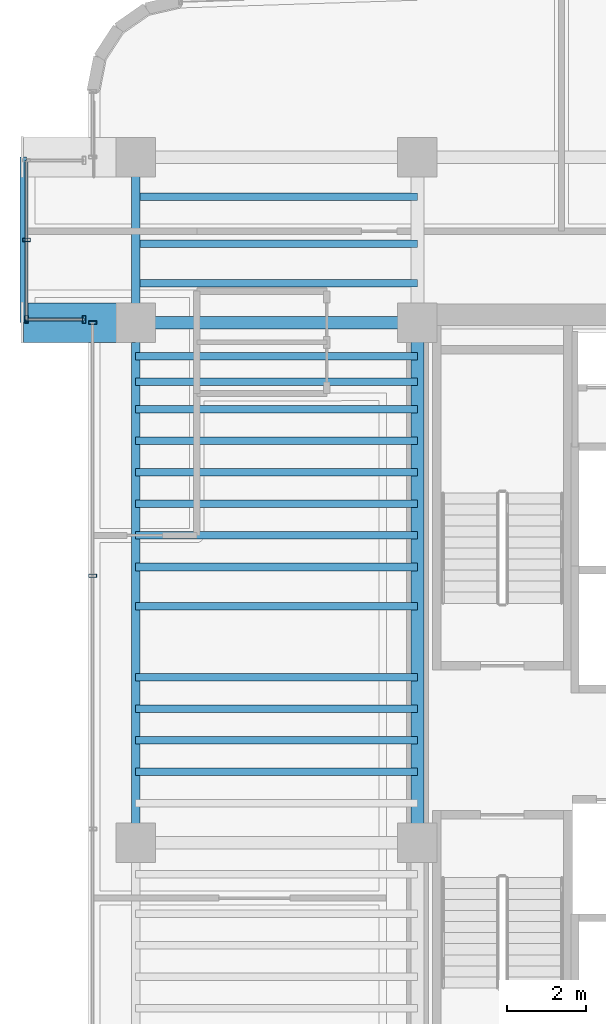
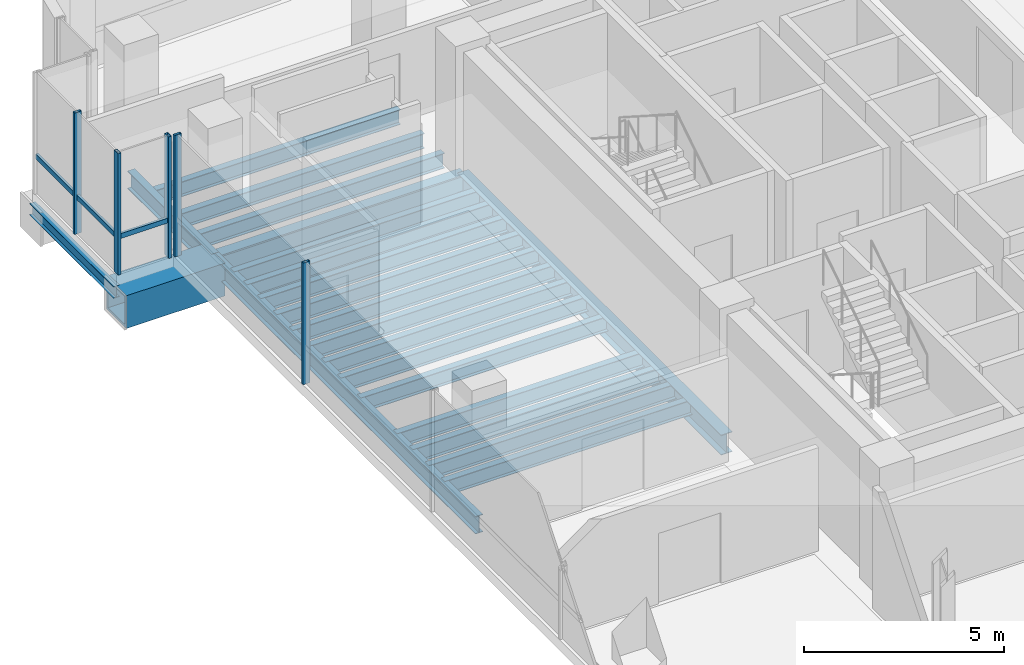
# One storey, part 8 of 35: 22 beams, 7 members, 3 elements without a shape of their own.
"""IFC4 building model written with IfcOpenShell, lengths in metres."""

from ifc_helpers import new_model, si_unit, direction, frame, origin, origin_2d, place, context, subcontext, project, spatial, hollow_rectangle, i_section, extrude, source, transform, mapped, material, material_profile, profile_set, type_object, element, aggregate, save


model = new_model("IFC4")

# Units and contexts
model_context = context("Model", 3, precision=1e-05, world=origin(), true_north=direction((0.0, 1.0)))
body_context = subcontext(model_context, "Body", "Model", "MODEL_VIEW")
ifc_project = project(units=[si_unit("LENGTHUNIT", "METRE"), si_unit("AREAUNIT", "SQUARE_METRE"), si_unit("VOLUMEUNIT", "CUBIC_METRE"), si_unit("PLANEANGLEUNIT", "RADIAN"), si_unit("MASSUNIT", "GRAM", prefix="KILO")], contexts=[model_context])

# Site, building, storey
site_placement = place(None, origin())
site = spatial("IfcSite", under=ifc_project, at=site_placement, CompositionType="ELEMENT")
building_placement = place(site_placement, origin())
building = spatial("IfcBuilding", under=site, at=building_placement, Name="Valdorenza Pilgrim Sanctuary Tower", CompositionType="ELEMENT")
storey_placement = place(building_placement, frame((0.0, 0.0, 192.35009765625)))
storey = spatial("IfcBuildingStorey", under=building, at=storey_placement, Name="L49", CompositionType="ELEMENT", Elevation=192.35009765625)

# Beams
ifc_material_1 = material(Name="Steel ASTM A992 Grade 50", Category="steel")
ifc_material_profile_1 = material_profile(ifc_material_1, i_section(OverallWidth=0.323974609375, OverallDepth=0.611083984375, WebThickness=0.0126953125, FlangeThickness=0.01904296875, at=origin_2d()), Name="W24X104")
ifc_profile_set_1 = profile_set([ifc_material_profile_1], Name="Steel ASTM A992 Grade 50")
beam_type_1 = type_object("IfcBeamType", Name="STR-BM-GRD-W24B", PredefinedType="BEAM", material=ifc_profile_set_1)
shared_shape_1 = source(origin(), body_context, "Body", "SweptSolid", [
    extrude(i_section(OverallWidth=0.323974609375, OverallDepth=0.611083984375, WebThickness=0.0126953125, FlangeThickness=0.01904296875, at=origin_2d()), origin(), (0.0, 0.0, 1.0), 13.2001953125),
])
beam_1_placement = place(storey_placement, frame((-22.64990234375, -2.60009765625, -0.62548828125), z_axis=(0.0, 1.0, 0.0), x_axis=(-1.0, 0.0, 0.0)))
element("IfcBeam", 1, at=beam_1_placement, inside=storey, type_object=beam_type_1, Name="L49 Core Tie Girder CA-W-M0N1", PredefinedType="BEAM", context=body_context, shape_type="MappedRepresentation", body=[
    mapped(shared_shape_1, transform((0.0, 0.0, 0.0), x_axis=(1.0, 0.0, 0.0), y_axis=(0.0, 1.0, 0.0), z_axis=(0.0, 0.0, 1.0), scale=1.0)),
])
ifc_material_profile_2 = material_profile(ifc_material_1, i_section(OverallWidth=0.1708984375, OverallDepth=0.35107421875, WebThickness=0.0068359375, FlangeThickness=0.009765625, at=origin_2d()), Name="W14X30")
ifc_profile_set_2 = profile_set([ifc_material_profile_2], Name="Steel ASTM A992 Grade 50")
beam_type_2 = type_object("IfcBeamType", Name="STR-BM-BOX-W14", PredefinedType="BEAM", material=ifc_profile_set_2)
shared_shape_2 = source(origin(), body_context, "Body", "SweptSolid", [
    extrude(i_section(OverallWidth=0.1708984375, OverallDepth=0.35107421875, WebThickness=0.0068359375, FlangeThickness=0.009765625, at=origin_2d()), origin(), (0.0, 0.0, 1.0), 4.199951171875),
])
beam_2_placement = place(storey_placement, frame((-32.64990234375, 10.60009765625, -0.49560546875), z_axis=(0.0, 1.0, 0.0), x_axis=(-1.0, 0.0, 0.0)))
element("IfcBeam", 2, at=beam_2_placement, inside=storey, type_object=beam_type_2, Name="L49 Glass Box Edge Beam BOX-WA-L49-F", PredefinedType="BEAM", context=body_context, shape_type="MappedRepresentation", body=[
    mapped(shared_shape_2, transform((0.0, 0.0, 0.0), x_axis=(1.0, 0.0, 0.0), y_axis=(0.0, 1.0, 0.0), z_axis=(0.0, 0.0, 1.0), scale=1.0)),
])
ifc_material_profile_3 = material_profile(ifc_material_1, i_section(OverallWidth=0.19091796875, OverallDepth=0.45703125, WebThickness=0.009033203125, FlangeThickness=0.014404296875, at=origin_2d()), Name="W18X50")
ifc_profile_set_3 = profile_set([ifc_material_profile_3], Name="Steel ASTM A992 Grade 50")
beam_type_3 = type_object("IfcBeamType", Name="STR-BM-JST-W18B", PredefinedType="JOIST", material=ifc_profile_set_3)
shared_shape_3 = source(origin(), body_context, "Body", "SweptSolid", [
    extrude(i_section(OverallWidth=0.19091796875, OverallDepth=0.45703125, WebThickness=0.009033203125, FlangeThickness=0.014404296875, at=origin_2d()), origin(), (0.0, 0.0, 1.0), 7.150146484375),
])
for number, where, z_axis, x_axis, name in (
    (3, (-29.800048828125, -0.800048828125, -0.548583984375), (1.0, 0.0, 0.0), (0.0, 1.0, 0.0), "L49 Composite Floor Joist JST-WA-11"),
    (4, (-29.800048828125, 0.0, -0.548583984375), (1.0, 0.0, 0.0), (0.0, 1.0, 0.0), "L49 Composite Floor Joist JST-WA-12"),
    (5, (-29.800048828125, 0.800048828125, -0.548583984375), (1.0, 0.0, 0.0), (0.0, 1.0, 0.0), "L49 Composite Floor Joist JST-WA-13"),
    (6, (-29.800048828125, 1.60009765625, -0.548583984375), (1.0, 0.0, 0.0), (0.0, 1.0, 0.0), "L49 Composite Floor Joist JST-WA-14"),
    (7, (-29.800048828125, 3.39990234375, -0.548583984375), (1.0, 0.0, 0.0), (0.0, 1.0, 0.0), "L49 Composite Floor Joist JST-WA-15"),
    (8, (-29.800048828125, 4.39990234375, -0.548583984375), (1.0, 0.0, 0.0), (0.0, 1.0, 0.0), "L49 Composite Floor Joist JST-WA-16"),
    (9, (-29.800048828125, 5.199951171875, -0.548583984375), (1.0, 0.0, 0.0), (0.0, 1.0, 0.0), "L49 Composite Floor Joist JST-WA-17"),
    (10, (-29.800048828125, 6.0, -0.548583984375), (1.0, 0.0, 0.0), (0.0, 1.0, 0.0), "L49 Composite Floor Joist JST-WA-18"),
    (11, (-29.800048828125, 6.800048828125, -0.548583984375), (1.0, 0.0, 0.0), (0.0, 1.0, 0.0), "L49 Composite Floor Joist JST-WA-19"),
    (12, (-29.800048828125, 7.60009765625, -0.548583984375), (1.0, 0.0, 0.0), (0.0, 1.0, 0.0), "L49 Composite Floor Joist JST-WA-20"),
    (13, (-29.800048828125, 8.39990234375, -0.548583984375), (1.0, 0.0, 0.0), (0.0, 1.0, 0.0), "L49 Composite Floor Joist JST-WA-21"),
    (14, (-29.800048828125, 9.10009765625, -0.548583984375), (1.0, 0.0, 0.0), (0.0, 1.0, 0.0), "L49 Composite Floor Joist JST-WA-22"),
    (15, (-29.800048828125, 9.75, -0.548583984375), (1.0, 0.0, 0.0), (0.0, 1.0, 0.0), "L49 Composite Floor Joist JST-WA-23"),
    (16, (-29.800048828125, 11.60009765625, -0.548583984375), (1.0, 0.0, 0.0), (0.0, 1.0, 0.0), "L49 Composite Floor Joist JST-WA-24"),
    (17, (-29.800048828125, 12.60009765625, -0.548583984375), (1.0, 0.0, 0.0), (0.0, 1.0, 0.0), "L49 Composite Floor Joist JST-WA-25"),
    (18, (-29.800048828125, 13.800048828125, -0.548583984375), (1.0, 0.0, 0.0), (0.0, 1.0, 0.0), "L49 Composite Floor Joist JST-WA-26"),
):
    element("IfcBeam", number, at=place(storey_placement, frame(where, z_axis=z_axis, x_axis=x_axis)), inside=storey, type_object=beam_type_3, Name=name, PredefinedType="JOIST", context=body_context, shape_type="MappedRepresentation", body=[
        mapped(shared_shape_3, transform((0.0, 0.0, 0.0), x_axis=(1.0, 0.0, 0.0), y_axis=(0.0, 1.0, 0.0), z_axis=(0.0, 0.0, 1.0), scale=1.0)),
    ])
ifc_material_2 = material(Name="Steel ASTM A572 Grade 42", Category="steel")
ifc_material_profile_4 = material_profile(ifc_material_2, hollow_rectangle(XDim=1.0, YDim=1.0, WallThickness=0.080078125, at=origin_2d()), Name="BOX 1000x1000x80")
ifc_profile_set_4 = profile_set([ifc_material_profile_4], Name="Steel ASTM A572 Grade 42")
beam_type_4 = type_object("IfcBeamType", Name="STR-BM-PROW-CANT", PredefinedType="BEAM", material=ifc_profile_set_4)
shared_shape_4 = source(origin(), body_context, "Body", "SweptSolid", [
    extrude(hollow_rectangle(XDim=1.0, YDim=1.0, WallThickness=0.080078125, at=origin_2d()), origin(), (0.0, 0.0, 1.0), 2.849853515625),
])
beam_3_placement = place(storey_placement, frame((-29.800048828125, 10.60009765625, -0.820068359375), z_axis=(-1.0, 0.0, 0.0), x_axis=(0.0, -1.0, 0.0)))
element("IfcBeam", 19, at=beam_3_placement, inside=storey, type_object=beam_type_4, Name="L49 Glass Box Cantilever Beam BOX-WA-L49-CT-S", PredefinedType="BEAM", context=body_context, shape_type="MappedRepresentation", body=[
    mapped(shared_shape_4, transform((0.0, 0.0, 0.0), x_axis=(1.0, 0.0, 0.0), y_axis=(0.0, 1.0, 0.0), z_axis=(0.0, 0.0, 1.0), scale=1.0)),
])
ifc_material_profile_5 = material_profile(ifc_material_1, i_section(OverallWidth=0.2109375, OverallDepth=0.5390625, WebThickness=0.01171875, FlangeThickness=0.018798828125, at=origin_2d()), Name="W21X73")
ifc_profile_set_5 = profile_set([ifc_material_profile_5], Name="Steel ASTM A992 Grade 50")
beam_type_5 = type_object("IfcBeamType", Name="STR-BM-SPN-W21B", PredefinedType="SPANDREL", material=ifc_profile_set_5)
shared_shape_5 = source(origin(), body_context, "Body", "SweptSolid", [
    extrude(i_section(OverallWidth=0.2109375, OverallDepth=0.5390625, WebThickness=0.01171875, FlangeThickness=0.018798828125, at=origin_2d()), origin(), (0.0, 0.0, 1.0), 13.2001953125),
])
beam_4_placement = place(storey_placement, frame((-29.800048828125, -2.60009765625, -0.589599609375), z_axis=(0.0, 1.0, 0.0), x_axis=(-1.0, 0.0, 0.0)))
element("IfcBeam", 20, at=beam_4_placement, inside=storey, type_object=beam_type_5, Name="L49 Spandrel Beam WA-W-M0N1", PredefinedType="SPANDREL", context=body_context, shape_type="MappedRepresentation", body=[
    mapped(shared_shape_5, transform((0.0, 0.0, 0.0), x_axis=(1.0, 0.0, 0.0), y_axis=(0.0, 1.0, 0.0), z_axis=(0.0, 0.0, 1.0), scale=1.0)),
])
shared_shape_6 = source(origin(), body_context, "Body", "SweptSolid", [
    extrude(i_section(OverallWidth=0.2109375, OverallDepth=0.5390625, WebThickness=0.01171875, FlangeThickness=0.018798828125, at=origin_2d()), origin(), (0.0, 0.0, 1.0), 4.199951171875),
])
beam_5_placement = place(storey_placement, frame((-29.800048828125, 10.60009765625, -0.589599609375), z_axis=(0.0, 1.0, 0.0), x_axis=(-1.0, 0.0, 0.0)))
element("IfcBeam", 21, at=beam_5_placement, inside=storey, type_object=beam_type_5, Name="L49 Spandrel Beam WA-W-N1N2", PredefinedType="SPANDREL", context=body_context, shape_type="MappedRepresentation", body=[
    mapped(shared_shape_6, transform((0.0, 0.0, 0.0), x_axis=(1.0, 0.0, 0.0), y_axis=(0.0, 1.0, 0.0), z_axis=(0.0, 0.0, 1.0), scale=1.0)),
])
ifc_material_profile_6 = material_profile(ifc_material_1, i_section(OverallWidth=0.31005859375, OverallDepth=0.949951171875, WebThickness=0.0244140625, FlangeThickness=0.0439453125, at=origin_2d()), Name="W36X256")
ifc_profile_set_6 = profile_set([ifc_material_profile_6], Name="Steel ASTM A992 Grade 50")
beam_type_6 = type_object("IfcBeamType", Name="STR-BM-GRD-W36B", PredefinedType="BEAM", material=ifc_profile_set_6)
shared_shape_7 = source(origin(), body_context, "Body", "SweptSolid", [
    extrude(i_section(OverallWidth=0.31005859375, OverallDepth=0.949951171875, WebThickness=0.0244140625, FlangeThickness=0.0439453125, at=origin_2d()), origin(), (0.0, 0.0, 1.0), 7.150146484375),
])
beam_6_placement = place(storey_placement, frame((-29.800048828125, 10.60009765625, -0.795166015625), z_axis=(1.0, 0.0, 0.0), x_axis=(0.0, 1.0, 0.0)))
element("IfcBeam", 22, at=beam_6_placement, inside=storey, type_object=beam_type_6, Name="L49 Floor Girder WA-XW-N1", PredefinedType="BEAM", context=body_context, shape_type="MappedRepresentation", body=[
    mapped(shared_shape_7, transform((0.0, 0.0, 0.0), x_axis=(1.0, 0.0, 0.0), y_axis=(0.0, 1.0, 0.0), z_axis=(0.0, 0.0, 1.0), scale=1.0)),
])

# Curtain wall, member
ifc_material_3 = material(Name="Curtain-wall IGU glazing", Category="glass")
curtain_wall_type = type_object("IfcCurtainWallType", Name="CW-SYS-02", PredefinedType="NOTDEFINED", material=ifc_material_3)
curtain_wall_1_placement = place(storey_placement, origin())
curtain_wall_1 = element("IfcCurtainWall", 23, at=curtain_wall_1_placement, inside=storey, type_object=curtain_wall_type, Name="L49 Curtain Wall CW-L49-BOX-WA-L49-S", PredefinedType="NOTDEFINED")
ifc_material_4 = material(Name="Anodised aluminium AW-6060", Category="aluminium")
ifc_material_profile_7 = material_profile(ifc_material_4, hollow_rectangle(XDim=0.074951171875, YDim=0.14990234375, WallThickness=0.00390625, at=origin_2d()), Name="ALU-T 150x75x4")
ifc_profile_set_7 = profile_set([ifc_material_profile_7], Name="Anodised aluminium AW-6060")
member_type_1 = type_object("IfcMemberType", Name="CW-TRN-02", PredefinedType="USERDEFINED", material=ifc_profile_set_7)
shared_shape_8 = source(origin(), body_context, "Body", "SweptSolid", [
    extrude(hollow_rectangle(XDim=0.074951171875, YDim=0.14990234375, WallThickness=0.00390625, at=origin_2d()), origin(), (0.0, 0.0, 1.0), 1.4599609375),
])
member_1_placement = place(storey_placement, frame((-31.110107421875, 10.679931640625, 1.119873046875), z_axis=(-1.0, 0.0, 0.0), x_axis=(0.0, -1.0, 0.0)))
member_1 = element("IfcMember", 24, at=member_1_placement, type_object=member_type_1, Name="CW-L49-BOX-WA-L49-S Transom 1", ObjectType="TRANSOM", PredefinedType="USERDEFINED", context=body_context, shape_type="MappedRepresentation", body=[
    mapped(shared_shape_8, transform((0.0, 0.0, 0.0), x_axis=(1.0, 0.0, 0.0), y_axis=(0.0, 1.0, 0.0), z_axis=(0.0, 0.0, 1.0), scale=1.0)),
])

curtain_wall_2_placement = place(storey_placement, origin())
curtain_wall_2 = element("IfcCurtainWall", 25, at=curtain_wall_2_placement, inside=storey, type_object=curtain_wall_type, Name="L49 Curtain Wall CW-L49-BOX-WA-L49-F", PredefinedType="NOTDEFINED")
shared_shape_9 = source(origin(), body_context, "Body", "SweptSolid", [
    extrude(hollow_rectangle(XDim=0.074951171875, YDim=0.14990234375, WallThickness=0.00390625, at=origin_2d()), origin(), (0.0, 0.0, 1.0), 4.0400390625),
])
member_2_placement = place(storey_placement, frame((-32.570068359375, 10.679931640625, 1.119873046875), z_axis=(0.0, 1.0, 0.0), x_axis=(-1.0, 0.0, 0.0)))
member_2 = element("IfcMember", 26, at=member_2_placement, type_object=member_type_1, Name="CW-L49-BOX-WA-L49-F Transom 1", ObjectType="TRANSOM", PredefinedType="USERDEFINED", context=body_context, shape_type="MappedRepresentation", body=[
    mapped(shared_shape_9, transform((0.0, 0.0, 0.0), x_axis=(1.0, 0.0, 0.0), y_axis=(0.0, 1.0, 0.0), z_axis=(0.0, 0.0, 1.0), scale=1.0)),
])

# Curtain wall, members
curtain_wall_3_placement = place(storey_placement, origin())
curtain_wall_3 = element("IfcCurtainWall", 27, at=curtain_wall_3_placement, inside=storey, type_object=curtain_wall_type, Name="L49 Curtain Wall CW-L49-1-1S1", PredefinedType="NOTDEFINED")
ifc_material_profile_8 = material_profile(ifc_material_4, hollow_rectangle(XDim=0.0849609375, YDim=0.199951171875, WallThickness=0.0048828125, at=origin_2d()), Name="ALU-M 200x85x5")
ifc_profile_set_8 = profile_set([ifc_material_profile_8], Name="Anodised aluminium AW-6060")
member_type_2 = type_object("IfcMemberType", Name="CW-MUL-02", PredefinedType="MULLION", material=ifc_profile_set_8)
shared_shape_10 = source(origin(), body_context, "Body", "SweptSolid", [
    extrude(hollow_rectangle(XDim=0.0849609375, YDim=0.199951171875, WallThickness=0.0048828125, at=origin_2d()), origin(), (0.0, 0.0, 1.0), 3.7099609375),
])
member_3_placement = place(storey_placement, frame((-30.889892578125, 4.177734375, 0.0), z_axis=(0.0, 0.0, 1.0), x_axis=(0.0, 1.0, 0.0)))
member_3 = element("IfcMember", 28, at=member_3_placement, type_object=member_type_2, Name="CW-L49-1-1S1 Mullion 4", PredefinedType="MULLION", context=body_context, shape_type="MappedRepresentation", body=[
    mapped(shared_shape_10, transform((0.0, 0.0, 0.0), x_axis=(1.0, 0.0, 0.0), y_axis=(0.0, 1.0, 0.0), z_axis=(0.0, 0.0, 1.0), scale=1.0)),
])
member_4_placement = place(storey_placement, frame((-30.889892578125, 10.60009765625, 0.0), z_axis=(0.0, 0.0, 1.0), x_axis=(0.0, 1.0, 0.0)))
member_4 = element("IfcMember", 29, at=member_4_placement, type_object=member_type_2, Name="CW-L49-1-1S1 Mullion 5", PredefinedType="MULLION", context=body_context, shape_type="MappedRepresentation", body=[
    mapped(shared_shape_10, transform((0.0, 0.0, 0.0), x_axis=(1.0, 0.0, 0.0), y_axis=(0.0, 1.0, 0.0), z_axis=(0.0, 0.0, 1.0), scale=1.0)),
])
aggregate(curtain_wall_3, [member_3, member_4])

# Member
member_5_placement = place(storey_placement, frame((-31.110107421875, 10.679931640625, 0.0), z_axis=(0.0, 0.0, 1.0), x_axis=(-1.0, 0.0, 0.0)))
member_5 = element("IfcMember", 30, at=member_5_placement, type_object=member_type_2, Name="CW-L49-BOX-WA-L49-S Mullion 1", PredefinedType="MULLION", context=body_context, shape_type="MappedRepresentation", body=[
    mapped(shared_shape_10, transform((0.0, 0.0, 0.0), x_axis=(1.0, 0.0, 0.0), y_axis=(0.0, 1.0, 0.0), z_axis=(0.0, 0.0, 1.0), scale=1.0)),
])

member_6_placement = place(storey_placement, frame((-32.570068359375, 10.679931640625, 0.0), z_axis=(0.0, 0.0, 1.0), x_axis=(-1.0, 0.0, 0.0)))
member_6 = element("IfcMember", 31, at=member_6_placement, type_object=member_type_2, Name="CW-L49-BOX-WA-L49-S Mullion 2", PredefinedType="MULLION", context=body_context, shape_type="MappedRepresentation", body=[
    mapped(shared_shape_10, transform((0.0, 0.0, 0.0), x_axis=(1.0, 0.0, 0.0), y_axis=(0.0, 1.0, 0.0), z_axis=(0.0, 0.0, 1.0), scale=1.0)),
])

aggregate(curtain_wall_1, [member_5, member_6, member_1])

member_7_placement = place(storey_placement, frame((-32.570068359375, 12.699951171875, 0.0), z_axis=(0.0, 0.0, 1.0), x_axis=(0.0, 1.0, 0.0)))
member_7 = element("IfcMember", 32, at=member_7_placement, type_object=member_type_2, Name="CW-L49-BOX-WA-L49-F Mullion 2", PredefinedType="MULLION", context=body_context, shape_type="MappedRepresentation", body=[
    mapped(shared_shape_10, transform((0.0, 0.0, 0.0), x_axis=(1.0, 0.0, 0.0), y_axis=(0.0, 1.0, 0.0), z_axis=(0.0, 0.0, 1.0), scale=1.0)),
])

aggregate(curtain_wall_2, [member_7, member_2])

save(model, "model.ifc")
